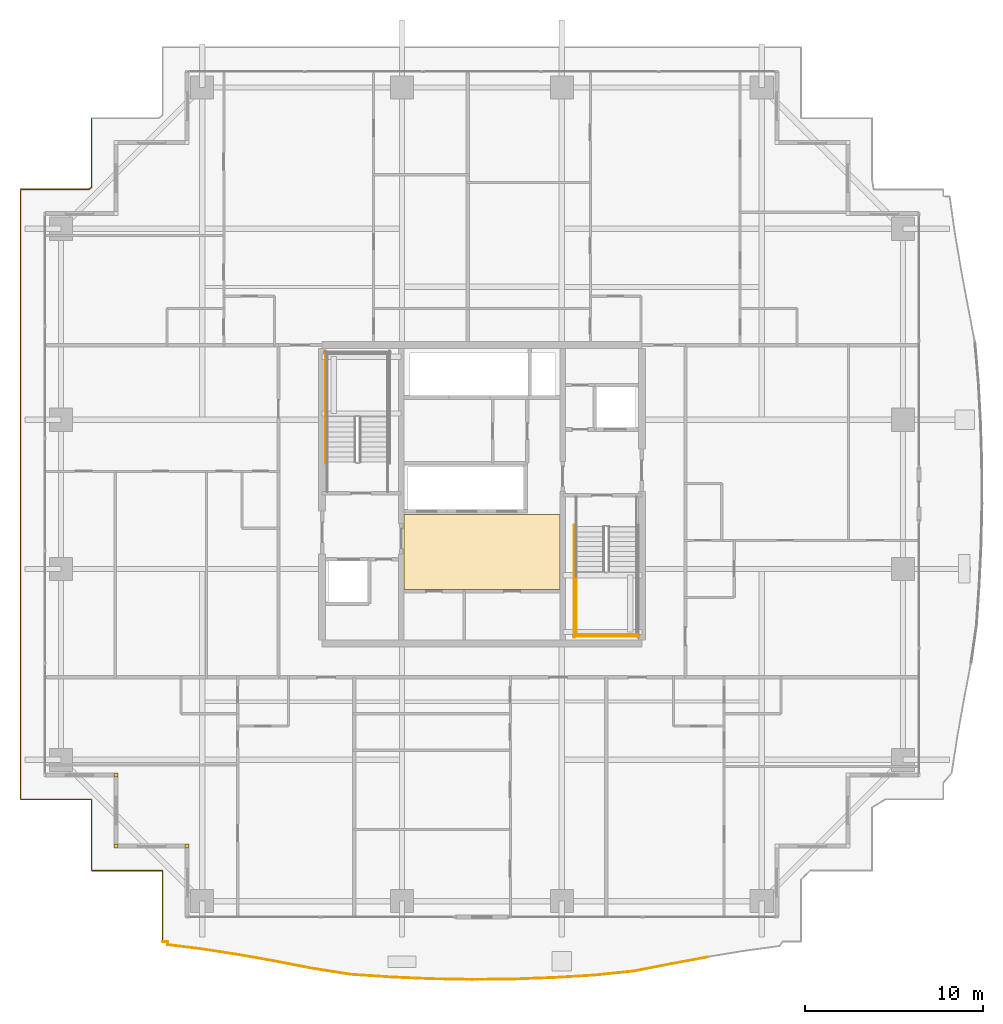
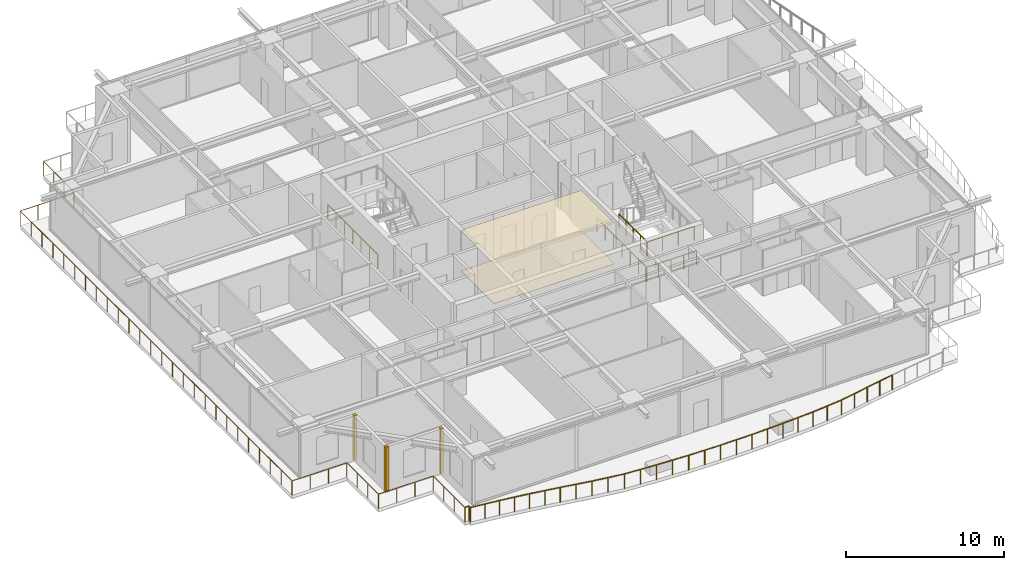
# One storey, part 33 of 37: 8 railings, 5 coverings.
"""IFC4 building model written with IfcOpenShell, lengths in metres."""

from ifc_helpers import new_model, si_unit, direction, frame, origin, origin_2d, place, context, subcontext, project, spatial, polyline, rectangle, circle, outline, extrude, source, transform, mapped, material, layer, layer_set, type_object, element, save


model = new_model("IFC4")

# Units and contexts
model_context = context("Model", 3, precision=1e-05, world=origin(), true_north=direction((0.0, 1.0)))
body_context = subcontext(model_context, "Body", "Model", "MODEL_VIEW")
ifc_project = project(units=[si_unit("LENGTHUNIT", "METRE"), si_unit("AREAUNIT", "SQUARE_METRE"), si_unit("VOLUMEUNIT", "CUBIC_METRE"), si_unit("PLANEANGLEUNIT", "RADIAN"), si_unit("MASSUNIT", "GRAM", prefix="KILO")], contexts=[model_context])

# Site, building, storey
site_placement = place(None, origin())
site = spatial("IfcSite", under=ifc_project, at=site_placement, CompositionType="ELEMENT")
building_placement = place(site_placement, origin())
building = spatial("IfcBuilding", under=site, at=building_placement, Name="Serunith Strait Residences", CompositionType="ELEMENT")
storey_placement = place(building_placement, frame((0.0, 0.0, 161.39990234375)))
storey = spatial("IfcBuildingStorey", under=building, at=storey_placement, Name="L40", CompositionType="ELEMENT", Elevation=161.39990234375)

# Coverings
ifc_material_1 = material(Name="Perforated acoustic gypsum ceiling tile")
ifc_layer_1 = layer(ifc_material_1, 0.02490234375, Name="Perforated acoustic gypsum ceiling tile")
ifc_layer_set_1 = layer_set([ifc_layer_1], Name="Perforated acoustic gypsum ceiling tile")
covering_type_1 = type_object("IfcCoveringType", Name="COV-CEIL-AC60", PredefinedType="CEILING", material=ifc_layer_set_1)
covering_1_placement = place(storey_placement, frame((0.0, 0.0, 3.14013671875)))
element("IfcCovering", 1, at=covering_1_placement, inside=storey, type_object=covering_type_1, Name="L40 Lift Lobby Acoustic Ceiling", PredefinedType="CEILING", context=body_context, shape_type="SweptSolid", body=[
    extrude(outline(polyline([(28.0, 19.85009765625), (36.800048828125, 19.85009765625), (36.800048828125, 24.050048828125), (28.0, 24.050048828125), (28.0, 19.85009765625)])), origin(), (0.0, 0.0, 1.0), 0.02490234375),
])
ifc_material_2 = material(Name="Honed limestone terrazzo flooring", Category="masonry")
ifc_layer_2 = layer(ifc_material_2, 0.02001953125, Name="Honed limestone terrazzo flooring")
ifc_layer_set_2 = layer_set([ifc_layer_2], Name="Honed limestone terrazzo flooring")
covering_type_2 = type_object("IfcCoveringType", Name="COV-FLOOR-TER40", PredefinedType="FLOORING", material=ifc_layer_set_2)
covering_2_placement = place(storey_placement, origin())
element("IfcCovering", 2, at=covering_2_placement, inside=storey, type_object=covering_type_2, Name="L40 Lift Lobby Terrazzo Flooring", PredefinedType="FLOORING", context=body_context, shape_type="SweptSolid", body=[
    extrude(outline(polyline([(28.0, 19.85009765625), (36.800048828125, 19.85009765625), (36.800048828125, 24.050048828125), (28.0, 24.050048828125), (28.0, 19.85009765625)])), origin(), (0.0, 0.0, 1.0), 0.02001953125),
])

# Railings
ifc_material_3 = material(Name="Stainless Steel & Laminated Glass Balustrade", Category="steel")
railing_type_1 = type_object("IfcRailingType", Name="RLG-BALC-1150", PredefinedType="BALUSTRADE", material=ifc_material_3)
railing_1_placement = place(storey_placement, frame((14.419921875, 0.02001953125, -0.0498046875)))
element("IfcRailing", 3, at=railing_1_placement, inside=storey, type_object=railing_type_1, Name="L40 Swirling Balcony Perimeter Balustrade 1", PredefinedType="BALUSTRADE", context=body_context, shape_type="SweptSolid", body=[
    extrude(circle(Radius=0.02392578125, at=origin_2d()), frame((0.0, 0.001953125, 1.1259765625), z_axis=(0.0, 1.0, 0.0), x_axis=(-1.0, 0.0, 0.0)), (0.0, 0.0, 1.0), 3.99609375),
    extrude(circle(Radius=0.02392578125, at=origin_2d()), frame((-0.001953125, 4.0, 1.1259765625), z_axis=(-1.0, 0.0, 0.0), x_axis=(0.0, -1.0, 0.0)), (0.0, 0.0, 1.0), 3.99609375),
    extrude(circle(Radius=0.02392578125, at=origin_2d()), frame((-4.0, 4.001953125, 1.1259765625), z_axis=(0.0, 1.0, 0.0), x_axis=(-1.0, 0.0, 0.0)), (0.0, 0.0, 1.0), 3.99609375),
    extrude(circle(Radius=0.02392578125, at=origin_2d()), frame((-4.001953125, 8.0, 1.1259765625), z_axis=(-1.0, 0.0, 0.0), x_axis=(0.0, -1.0, 0.0)), (0.0, 0.0, 1.0), 3.99609375),
    extrude(circle(Radius=0.02392578125, at=origin_2d()), frame((-8.0, 8.001953125, 1.1259765625), z_axis=(0.0, 1.0, 0.0), x_axis=(-1.0, 0.0, 0.0)), (0.0, 0.0, 1.0), 34.35595703125),
    extrude(circle(Radius=0.02392578125, at=origin_2d()), frame((-7.998046875, 42.35986328125, 1.1259765625), z_axis=(1.0, 0.0, 0.0), x_axis=(0.0, 1.0, 0.0)), (0.0, 0.0, 1.0), 3.861083984375),
    extrude(circle(Radius=0.02392578125, at=origin_2d()), frame((-4.13330078125, 42.361083984375, 1.1259765625), z_axis=(0.808862567734, 0.587997743633, 0.0), x_axis=(-0.587997743633, 0.808862567734, 0.0)), (0.0, 0.0, 1.0), 0.162841796875),
    extrude(circle(Radius=0.02392578125, at=origin_2d()), frame((-4.0, 42.4599609375, 1.1259765625), z_axis=(0.0, 1.0, 0.0), x_axis=(-1.0, 0.0, 0.0)), (0.0, 0.0, 1.0), 3.89794921875),
    extrude(circle(Radius=0.02099609375, at=origin_2d()), origin(), (0.0, 0.0, 1.0), 1.099853515625),
    extrude(circle(Radius=0.02099609375, at=origin_2d()), frame((0.0, 1.333251953125, 0.0)), (0.0, 0.0, 1.0), 1.099853515625),
    extrude(circle(Radius=0.02099609375, at=origin_2d()), frame((0.0, 2.666748046875, 0.0)), (0.0, 0.0, 1.0), 1.099853515625),
    extrude(circle(Radius=0.02099609375, at=origin_2d()), frame((0.0, 4.0, 0.0)), (0.0, 0.0, 1.0), 1.099853515625),
    extrude(circle(Radius=0.02099609375, at=origin_2d()), frame((-1.333251953125, 4.0, 0.0)), (0.0, 0.0, 1.0), 1.099853515625),
    extrude(circle(Radius=0.02099609375, at=origin_2d()), frame((-2.666748046875, 4.0, 0.0)), (0.0, 0.0, 1.0), 1.099853515625),
    extrude(circle(Radius=0.02099609375, at=origin_2d()), frame((-4.0, 4.0, 0.0)), (0.0, 0.0, 1.0), 1.099853515625),
    extrude(circle(Radius=0.02099609375, at=origin_2d()), frame((-4.0, 5.333251953125, 0.0)), (0.0, 0.0, 1.0), 1.099853515625),
    extrude(circle(Radius=0.02099609375, at=origin_2d()), frame((-4.0, 6.666748046875, 0.0)), (0.0, 0.0, 1.0), 1.099853515625),
    extrude(circle(Radius=0.02099609375, at=origin_2d()), frame((-4.0, 8.0, 0.0)), (0.0, 0.0, 1.0), 1.099853515625),
    extrude(circle(Radius=0.02099609375, at=origin_2d()), frame((-5.333251953125, 8.0, 0.0)), (0.0, 0.0, 1.0), 1.099853515625),
    extrude(circle(Radius=0.02099609375, at=origin_2d()), frame((-6.666748046875, 8.0, 0.0)), (0.0, 0.0, 1.0), 1.099853515625),
    extrude(circle(Radius=0.02099609375, at=origin_2d()), frame((-8.0, 8.0, 0.0)), (0.0, 0.0, 1.0), 1.099853515625),
    extrude(circle(Radius=0.02099609375, at=origin_2d()), frame((-8.0, 9.37451171875, 0.0)), (0.0, 0.0, 1.0), 1.099853515625),
    extrude(circle(Radius=0.02099609375, at=origin_2d()), frame((-8.0, 10.748779296875, 0.0)), (0.0, 0.0, 1.0), 1.099853515625),
    extrude(circle(Radius=0.02099609375, at=origin_2d()), frame((-8.0, 12.123291015625, 0.0)), (0.0, 0.0, 1.0), 1.099853515625),
    extrude(circle(Radius=0.02099609375, at=origin_2d()), frame((-8.0, 13.49755859375, 0.0)), (0.0, 0.0, 1.0), 1.099853515625),
    extrude(circle(Radius=0.02099609375, at=origin_2d()), frame((-8.0, 14.8720703125, 0.0)), (0.0, 0.0, 1.0), 1.099853515625),
    extrude(circle(Radius=0.02099609375, at=origin_2d()), frame((-8.0, 16.246337890625, 0.0)), (0.0, 0.0, 1.0), 1.099853515625),
    extrude(circle(Radius=0.02099609375, at=origin_2d()), frame((-8.0, 17.620849609375, 0.0)), (0.0, 0.0, 1.0), 1.099853515625),
    extrude(circle(Radius=0.02099609375, at=origin_2d()), frame((-8.0, 18.9951171875, 0.0)), (0.0, 0.0, 1.0), 1.099853515625),
    extrude(circle(Radius=0.02099609375, at=origin_2d()), frame((-8.0, 20.36962890625, 0.0)), (0.0, 0.0, 1.0), 1.099853515625),
    extrude(circle(Radius=0.02099609375, at=origin_2d()), frame((-8.0, 21.743896484375, 0.0)), (0.0, 0.0, 1.0), 1.099853515625),
    extrude(circle(Radius=0.02099609375, at=origin_2d()), frame((-8.0, 23.118408203125, 0.0)), (0.0, 0.0, 1.0), 1.099853515625),
    extrude(circle(Radius=0.02099609375, at=origin_2d()), frame((-8.0, 24.49267578125, 0.0)), (0.0, 0.0, 1.0), 1.099853515625),
    extrude(circle(Radius=0.02099609375, at=origin_2d()), frame((-8.0, 25.8671875, 0.0)), (0.0, 0.0, 1.0), 1.099853515625),
    extrude(circle(Radius=0.02099609375, at=origin_2d()), frame((-8.0, 27.241455078125, 0.0)), (0.0, 0.0, 1.0), 1.099853515625),
    extrude(circle(Radius=0.02099609375, at=origin_2d()), frame((-8.0, 28.615966796875, 0.0)), (0.0, 0.0, 1.0), 1.099853515625),
    extrude(circle(Radius=0.02099609375, at=origin_2d()), frame((-8.0, 29.990234375, 0.0)), (0.0, 0.0, 1.0), 1.099853515625),
    extrude(circle(Radius=0.02099609375, at=origin_2d()), frame((-8.0, 31.36474609375, 0.0)), (0.0, 0.0, 1.0), 1.099853515625),
    extrude(circle(Radius=0.02099609375, at=origin_2d()), frame((-8.0, 32.739013671875, 0.0)), (0.0, 0.0, 1.0), 1.099853515625),
    extrude(circle(Radius=0.02099609375, at=origin_2d()), frame((-8.0, 34.113525390625, 0.0)), (0.0, 0.0, 1.0), 1.099853515625),
    extrude(circle(Radius=0.02099609375, at=origin_2d()), frame((-8.0, 35.48779296875, 0.0)), (0.0, 0.0, 1.0), 1.099853515625),
    extrude(circle(Radius=0.02099609375, at=origin_2d()), frame((-8.0, 36.8623046875, 0.0)), (0.0, 0.0, 1.0), 1.099853515625),
    extrude(circle(Radius=0.02099609375, at=origin_2d()), frame((-8.0, 38.236572265625, 0.0)), (0.0, 0.0, 1.0), 1.099853515625),
    extrude(circle(Radius=0.02099609375, at=origin_2d()), frame((-8.0, 39.611083984375, 0.0)), (0.0, 0.0, 1.0), 1.099853515625),
    extrude(circle(Radius=0.02099609375, at=origin_2d()), frame((-8.0, 40.9853515625, 0.0)), (0.0, 0.0, 1.0), 1.099853515625),
    extrude(circle(Radius=0.02099609375, at=origin_2d()), frame((-8.0, 42.35986328125, 0.0)), (0.0, 0.0, 1.0), 1.099853515625),
    extrude(circle(Radius=0.02099609375, at=origin_2d()), frame((-6.711669921875, 42.35986328125, 0.0)), (0.0, 0.0, 1.0), 1.099853515625),
    extrude(circle(Radius=0.02099609375, at=origin_2d()), frame((-5.42333984375, 42.35986328125, 0.0)), (0.0, 0.0, 1.0), 1.099853515625),
    extrude(circle(Radius=0.02099609375, at=origin_2d()), frame((-4.135009765625, 42.35986328125, 0.0)), (0.0, 0.0, 1.0), 1.099853515625),
    extrude(circle(Radius=0.02099609375, at=origin_2d()), frame((-4.0, 42.4580078125, 0.0)), (0.0, 0.0, 1.0), 1.099853515625),
    extrude(circle(Radius=0.02099609375, at=origin_2d()), frame((-4.0, 43.758544921875, 0.0)), (0.0, 0.0, 1.0), 1.099853515625),
    extrude(circle(Radius=0.02099609375, at=origin_2d()), frame((-4.0, 45.059326171875, 0.0)), (0.0, 0.0, 1.0), 1.099853515625),
    extrude(circle(Radius=0.02099609375, at=origin_2d()), frame((-4.0, 46.35986328125, 0.0)), (0.0, 0.0, 1.0), 1.099853515625),
])
railing_2_placement = place(storey_placement, frame((45.1298828125, -0.843505859375, -0.0498046875)))
element("IfcRailing", 4, at=railing_2_placement, inside=storey, type_object=railing_type_1, Name="L40 Swirling Balcony Perimeter Balustrade 7", PredefinedType="BALUSTRADE", context=body_context, shape_type="SweptSolid", body=[
    extrude(circle(Radius=0.02392578125, at=origin_2d()), frame((-0.001953125, -0.00048828125, 1.1259765625), z_axis=(-0.983086004095, -0.183144501834, 0.0), x_axis=(0.183144501834, -0.983086004095, 0.0)), (0.0, 0.0, 1.0), 2.08349609375),
    extrude(circle(Radius=0.02392578125, at=origin_2d()), frame((-2.05419921875, -0.3828125, 1.1259765625), z_axis=(-0.981483816416, -0.191545081151, 0.0), x_axis=(0.191545081151, -0.981483816416, 0.0)), (0.0, 0.0, 1.0), 2.143798828125),
    extrude(circle(Radius=0.02392578125, at=origin_2d()), frame((-4.162109375, -0.7939453125, 1.1259765625), z_axis=(-0.994549130553, -0.104269012257, 0.0), x_axis=(0.104269012257, -0.994549130553, 0.0)), (0.0, 0.0, 1.0), 2.227294921875),
    extrude(circle(Radius=0.02392578125, at=origin_2d()), frame((-6.38134765625, -1.0263671875, 1.1259765625), z_axis=(-0.998183374939, -0.060249066343, 0.0), x_axis=(0.060249066343, -0.998183374939, 0.0)), (0.0, 0.0, 1.0), 2.2734375),
    extrude(circle(Radius=0.02392578125, at=origin_2d()), frame((-8.654541015625, -1.16357421875, 1.1259765625), z_axis=(-0.999318317048, -0.036917491967, 0.0), x_axis=(0.036917491967, -0.999318317048, 0.0)), (0.0, 0.0, 1.0), 2.29736328125),
    extrude(circle(Radius=0.02392578125, at=origin_2d()), frame((-10.954345703125, -1.24853515625, 1.1259765625), z_axis=(-0.999947590192, -0.010238011004, 0.0), x_axis=(0.010238011004, -0.999947590192, 0.0)), (0.0, 0.0, 1.0), 2.30908203125),
    extrude(circle(Radius=0.02392578125, at=origin_2d()), frame((-13.267333984375, -1.272216796875, 1.1259765625), z_axis=(-0.999851714344, 0.017220607506, 0.0), x_axis=(-0.017220607506, -0.999851714344, 0.0)), (0.0, 0.0, 1.0), 2.306884765625),
    extrude(circle(Radius=0.02392578125, at=origin_2d()), frame((-15.577880859375, -1.232421875, 1.1259765625), z_axis=(-0.99905716193, 0.043414135911, 0.0), x_axis=(-0.043414135911, -0.99905716193, 0.0)), (0.0, 0.0, 1.0), 2.290283203125),
    extrude(circle(Radius=0.02099609375, at=origin_2d()), origin(), (0.0, 0.0, 1.0), 1.099853515625),
    extrude(circle(Radius=0.02099609375, at=origin_2d()), frame((-1.026123046875, -0.191162109375, 0.0)), (0.0, 0.0, 1.0), 1.099853515625),
    extrude(circle(Radius=0.02099609375, at=origin_2d()), frame((-2.05224609375, -0.38232421875, 0.0)), (0.0, 0.0, 1.0), 1.099853515625),
    extrude(circle(Radius=0.02099609375, at=origin_2d()), frame((-3.106201171875, -0.587890625, 0.0)), (0.0, 0.0, 1.0), 1.099853515625),
    extrude(circle(Radius=0.02099609375, at=origin_2d()), frame((-4.16015625, -0.793701171875, 0.0)), (0.0, 0.0, 1.0), 1.099853515625),
    extrude(circle(Radius=0.02099609375, at=origin_2d()), frame((-5.269775390625, -0.91015625, 0.0)), (0.0, 0.0, 1.0), 1.099853515625),
    extrude(circle(Radius=0.02099609375, at=origin_2d()), frame((-6.37939453125, -1.0263671875, 0.0)), (0.0, 0.0, 1.0), 1.099853515625),
    extrude(circle(Radius=0.02099609375, at=origin_2d()), frame((-7.51611328125, -1.094970703125, 0.0)), (0.0, 0.0, 1.0), 1.099853515625),
    extrude(circle(Radius=0.02099609375, at=origin_2d()), frame((-8.652587890625, -1.16357421875, 0.0)), (0.0, 0.0, 1.0), 1.099853515625),
    extrude(circle(Radius=0.02099609375, at=origin_2d()), frame((-9.802490234375, -1.2060546875, 0.0)), (0.0, 0.0, 1.0), 1.099853515625),
    extrude(circle(Radius=0.02099609375, at=origin_2d()), frame((-10.952392578125, -1.24853515625, 0.0)), (0.0, 0.0, 1.0), 1.099853515625),
    extrude(circle(Radius=0.02099609375, at=origin_2d()), frame((-12.10888671875, -1.26025390625, 0.0)), (0.0, 0.0, 1.0), 1.099853515625),
    extrude(circle(Radius=0.02099609375, at=origin_2d()), frame((-13.265380859375, -1.272216796875, 0.0)), (0.0, 0.0, 1.0), 1.099853515625),
    extrude(circle(Radius=0.02099609375, at=origin_2d()), frame((-14.420654296875, -1.25244140625, 0.0)), (0.0, 0.0, 1.0), 1.099853515625),
    extrude(circle(Radius=0.02099609375, at=origin_2d()), frame((-15.575927734375, -1.232421875, 0.0)), (0.0, 0.0, 1.0), 1.099853515625),
    extrude(circle(Radius=0.02099609375, at=origin_2d()), frame((-16.72216796875, -1.1826171875, 0.0)), (0.0, 0.0, 1.0), 1.099853515625),
    extrude(circle(Radius=0.02099609375, at=origin_2d()), frame((-17.8681640625, -1.1328125, 0.0)), (0.0, 0.0, 1.0), 1.099853515625),
])
railing_3_placement = place(storey_placement, frame((27.26171875, -1.976318359375, -0.0498046875)))
element("IfcRailing", 5, at=railing_3_placement, inside=storey, type_object=railing_type_1, Name="L40 Swirling Balcony Perimeter Balustrade 8", PredefinedType="BALUSTRADE", context=body_context, shape_type="SweptSolid", body=[
    extrude(circle(Radius=0.02392578125, at=origin_2d()), frame((-0.001953125, 0.000244140625, 1.1259765625), z_axis=(-0.997825478891, 0.06591140778, 0.0), x_axis=(-0.06591140778, -0.997825478891, 0.0)), (0.0, 0.0, 1.0), 2.262939453125),
    extrude(circle(Radius=0.02392578125, at=origin_2d()), frame((-2.263916015625, 0.149658203125, 1.1259765625), z_axis=(-0.987665321862, 0.156579730463, 0.0), x_axis=(-0.156579730463, -0.987665321862, 0.0)), (0.0, 0.0, 1.0), 2.189697265625),
    extrude(circle(Radius=0.02392578125, at=origin_2d()), frame((-4.4306640625, 0.493408203125, 1.1259765625), z_axis=(-0.981779157923, 0.190025485314, 0.0), x_axis=(-0.190025485314, -0.981779157923, 0.0)), (0.0, 0.0, 1.0), 2.1171875),
    extrude(circle(Radius=0.02392578125, at=origin_2d()), frame((-6.51318359375, 0.896240234375, 1.1259765625), z_axis=(-0.984391053213, 0.175995040711, 0.0), x_axis=(-0.175995040711, -0.984391053213, 0.0)), (0.0, 0.0, 1.0), 2.06298828125),
    extrude(circle(Radius=0.02392578125, at=origin_2d()), frame((-8.5478515625, 1.260009765625, 1.1259765625), z_axis=(-0.988382815583, 0.151984900109, 0.0), x_axis=(-0.151984900109, -0.988382815583, 0.0)), (0.0, 0.0, 1.0), 2.0263671875),
    extrude(circle(Radius=0.02392578125, at=origin_2d()), frame((-10.5546875, 1.568603515625, 1.1259765625), z_axis=(-0.992212369006, 0.124557676569, 0.0), x_axis=(-0.124557676569, -0.992212369006, 0.0)), (0.0, 0.0, 1.0), 2.007080078125),
    extrude(circle(Radius=0.02392578125, at=origin_2d()), frame((-12.548095703125, 1.82080078125, 1.1259765625), z_axis=(0.008252813851, 0.999965944952, 0.0), x_axis=(-0.999965944952, 0.008252813851, 0.0)), (0.0, 0.0, 1.0), 0.173583984375),
    extrude(circle(Radius=0.02392578125, at=origin_2d()), frame((-12.548583984375, 1.996337890625, 1.1259765625), z_axis=(-1.0, 0.0, 0.0), x_axis=(0.0, -1.0, 0.0)), (0.0, 0.0, 1.0), 0.291259765625),
    extrude(circle(Radius=0.02099609375, at=origin_2d()), origin(), (0.0, 0.0, 1.0), 1.099853515625),
    extrude(circle(Radius=0.02099609375, at=origin_2d()), frame((-1.130859375, 0.07470703125, 0.0)), (0.0, 0.0, 1.0), 1.099853515625),
    extrude(circle(Radius=0.02099609375, at=origin_2d()), frame((-2.261962890625, 0.1494140625, 0.0)), (0.0, 0.0, 1.0), 1.099853515625),
    extrude(circle(Radius=0.02099609375, at=origin_2d()), frame((-3.34521484375, 0.3212890625, 0.0)), (0.0, 0.0, 1.0), 1.099853515625),
    extrude(circle(Radius=0.02099609375, at=origin_2d()), frame((-4.4287109375, 0.492919921875, 0.0)), (0.0, 0.0, 1.0), 1.099853515625),
    extrude(circle(Radius=0.02099609375, at=origin_2d()), frame((-5.469970703125, 0.6943359375, 0.0)), (0.0, 0.0, 1.0), 1.099853515625),
    extrude(circle(Radius=0.02099609375, at=origin_2d()), frame((-6.51123046875, 0.89599609375, 0.0)), (0.0, 0.0, 1.0), 1.099853515625),
    extrude(circle(Radius=0.02099609375, at=origin_2d()), frame((-7.528564453125, 1.077880859375, 0.0)), (0.0, 0.0, 1.0), 1.099853515625),
    extrude(circle(Radius=0.02099609375, at=origin_2d()), frame((-8.5458984375, 1.259765625, 0.0)), (0.0, 0.0, 1.0), 1.099853515625),
    extrude(circle(Radius=0.02099609375, at=origin_2d()), frame((-9.54931640625, 1.4140625, 0.0)), (0.0, 0.0, 1.0), 1.099853515625),
    extrude(circle(Radius=0.02099609375, at=origin_2d()), frame((-10.552734375, 1.568359375, 0.0)), (0.0, 0.0, 1.0), 1.099853515625),
    extrude(circle(Radius=0.02099609375, at=origin_2d()), frame((-11.55029296875, 1.693603515625, 0.0)), (0.0, 0.0, 1.0), 1.099853515625),
    extrude(circle(Radius=0.02099609375, at=origin_2d()), frame((-12.548095703125, 1.81884765625, 0.0)), (0.0, 0.0, 1.0), 1.099853515625),
    extrude(circle(Radius=0.02099609375, at=origin_2d()), frame((-12.546630859375, 1.996337890625, 0.0)), (0.0, 0.0, 1.0), 1.099853515625),
    extrude(circle(Radius=0.02099609375, at=origin_2d()), frame((-12.841796875, 1.996337890625, 0.0)), (0.0, 0.0, 1.0), 1.099853515625),
])
ifc_material_4 = material(Name="Brushed stainless steel 316L", Category="steel")
railing_type_2 = type_object("IfcRailingType", Name="RLG-STAIR-GUARD", PredefinedType="BALUSTRADE", material=ifc_material_4)
railing_4_placement = place(storey_placement, frame((23.60009765625, 26.929931640625, 0.0)))
element("IfcRailing", 6, at=railing_4_placement, inside=storey, type_object=railing_type_2, Name="L40 ST-1 stair guard 11", PredefinedType="BALUSTRADE", context=body_context, shape_type="SweptSolid", body=[
    extrude(circle(Radius=0.02392578125, at=origin_2d()), frame((0.0, 0.001953125, 1.076171875), z_axis=(0.0, 1.0, 0.0), x_axis=(-1.0, 0.0, 0.0)), (0.0, 0.0, 1.0), 6.316162109375),
    extrude(circle(Radius=0.02099609375, at=origin_2d()), origin(), (0.0, 0.0, 1.0), 1.050048828125),
    extrude(circle(Radius=0.02099609375, at=origin_2d()), frame((0.0, 1.05322265625, 0.0)), (0.0, 0.0, 1.0), 1.050048828125),
    extrude(circle(Radius=0.02099609375, at=origin_2d()), frame((0.0, 2.106689453125, 0.0)), (0.0, 0.0, 1.0), 1.050048828125),
    extrude(circle(Radius=0.02099609375, at=origin_2d()), frame((0.0, 3.16015625, 0.0)), (0.0, 0.0, 1.0), 1.050048828125),
    extrude(circle(Radius=0.02099609375, at=origin_2d()), frame((0.0, 4.21337890625, 0.0)), (0.0, 0.0, 1.0), 1.050048828125),
    extrude(circle(Radius=0.02099609375, at=origin_2d()), frame((0.0, 5.2666015625, 0.0)), (0.0, 0.0, 1.0), 1.050048828125),
    extrude(circle(Radius=0.02099609375, at=origin_2d()), frame((0.0, 6.320068359375, 0.0)), (0.0, 0.0, 1.0), 1.050048828125),
])
railing_5_placement = place(storey_placement, frame((37.699951171875, 20.85009765625, 1.875)))
element("IfcRailing", 7, at=railing_5_placement, inside=storey, type_object=railing_type_2, Name="L40 ST-2 stair guard 3", PredefinedType="BALUSTRADE", context=body_context, shape_type="SweptSolid", body=[
    extrude(circle(Radius=0.02392578125, at=origin_2d()), frame((0.0, -0.001953125, 1.076171875), z_axis=(0.0, -1.0, 0.0), x_axis=(1.0, 0.0, 0.0)), (0.0, 0.0, 1.0), 3.59619140625),
    extrude(circle(Radius=0.02099609375, at=origin_2d()), origin(), (0.0, 0.0, 1.0), 1.050048828125),
    extrude(circle(Radius=0.02099609375, at=origin_2d()), frame((0.0, -0.89990234375, 0.0)), (0.0, 0.0, 1.0), 1.050048828125),
    extrude(circle(Radius=0.02099609375, at=origin_2d()), frame((0.0, -1.800048828125, 0.0)), (0.0, 0.0, 1.0), 1.050048828125),
    extrude(circle(Radius=0.02099609375, at=origin_2d()), frame((0.0, -2.7001953125, 0.0)), (0.0, 0.0, 1.0), 1.050048828125),
    extrude(circle(Radius=0.02099609375, at=origin_2d()), frame((0.0, -3.60009765625, 0.0)), (0.0, 0.0, 1.0), 1.050048828125),
])
railing_6_placement = place(storey_placement, frame((37.64990234375, 17.300048828125, 1.875)))
element("IfcRailing", 8, at=railing_6_placement, inside=storey, type_object=railing_type_2, Name="L40 ST-2 stair guard 5", PredefinedType="BALUSTRADE", context=body_context, shape_type="SweptSolid", body=[
    extrude(circle(Radius=0.02392578125, at=origin_2d()), frame((0.001953125, 0.0, 1.076171875), z_axis=(1.0, 0.0, 0.0), x_axis=(0.0, 1.0, 0.0)), (0.0, 0.0, 1.0), 3.49609375),
    extrude(circle(Radius=0.02099609375, at=origin_2d()), origin(), (0.0, 0.0, 1.0), 1.050048828125),
    extrude(circle(Radius=0.02099609375, at=origin_2d()), frame((1.166748046875, 0.0, 0.0)), (0.0, 0.0, 1.0), 1.050048828125),
    extrude(circle(Radius=0.02099609375, at=origin_2d()), frame((2.333251953125, 0.0, 0.0)), (0.0, 0.0, 1.0), 1.050048828125),
    extrude(circle(Radius=0.02099609375, at=origin_2d()), frame((3.5, 0.0, 0.0)), (0.0, 0.0, 1.0), 1.050048828125),
])
railing_7_placement = place(storey_placement, frame((37.60009765625, 23.469970703125, 0.0)))
element("IfcRailing", 9, at=railing_7_placement, inside=storey, type_object=railing_type_2, Name="L40 ST-2 stair guard 10", PredefinedType="BALUSTRADE", context=body_context, shape_type="SweptSolid", body=[
    extrude(circle(Radius=0.02392578125, at=origin_2d()), frame((0.0, -0.001953125, 1.076171875), z_axis=(0.0, -1.0, 0.0), x_axis=(1.0, 0.0, 0.0)), (0.0, 0.0, 1.0), 6.316162109375),
    extrude(circle(Radius=0.02099609375, at=origin_2d()), origin(), (0.0, 0.0, 1.0), 1.050048828125),
    extrude(circle(Radius=0.02099609375, at=origin_2d()), frame((0.0, -1.05322265625, 0.0)), (0.0, 0.0, 1.0), 1.050048828125),
    extrude(circle(Radius=0.02099609375, at=origin_2d()), frame((0.0, -2.106689453125, 0.0)), (0.0, 0.0, 1.0), 1.050048828125),
    extrude(circle(Radius=0.02099609375, at=origin_2d()), frame((0.0, -3.16015625, 0.0)), (0.0, 0.0, 1.0), 1.050048828125),
    extrude(circle(Radius=0.02099609375, at=origin_2d()), frame((0.0, -4.21337890625, 0.0)), (0.0, 0.0, 1.0), 1.050048828125),
    extrude(circle(Radius=0.02099609375, at=origin_2d()), frame((0.0, -5.2666015625, 0.0)), (0.0, 0.0, 1.0), 1.050048828125),
    extrude(circle(Radius=0.02099609375, at=origin_2d()), frame((0.0, -6.320068359375, 0.0)), (0.0, 0.0, 1.0), 1.050048828125),
])
railing_8_placement = place(storey_placement, frame((37.550048828125, 17.199951171875, 0.0)))
element("IfcRailing", 10, at=railing_8_placement, inside=storey, type_object=railing_type_2, Name="L40 ST-2 stair guard 12", PredefinedType="BALUSTRADE", context=body_context, shape_type="SweptSolid", body=[
    extrude(circle(Radius=0.02392578125, at=origin_2d()), frame((0.001953125, 0.0, 1.076171875), z_axis=(1.0, 0.0, 0.0), x_axis=(0.0, 1.0, 0.0)), (0.0, 0.0, 1.0), 3.696044921875),
    extrude(circle(Radius=0.02099609375, at=origin_2d()), origin(), (0.0, 0.0, 1.0), 1.050048828125),
    extrude(circle(Radius=0.02099609375, at=origin_2d()), frame((0.925048828125, 0.0, 0.0)), (0.0, 0.0, 1.0), 1.050048828125),
    extrude(circle(Radius=0.02099609375, at=origin_2d()), frame((1.85009765625, 0.0, 0.0)), (0.0, 0.0, 1.0), 1.050048828125),
    extrude(circle(Radius=0.02099609375, at=origin_2d()), frame((2.77490234375, 0.0, 0.0)), (0.0, 0.0, 1.0), 1.050048828125),
    extrude(circle(Radius=0.02099609375, at=origin_2d()), frame((3.699951171875, 0.0, 0.0)), (0.0, 0.0, 1.0), 1.050048828125),
])

# Coverings
ifc_material_5 = material(Name="Pale-Champagne Anodised Aluminium", Category="aluminium")
ifc_layer_3 = layer(ifc_material_5, 0.219970703125, Name="Pale-Champagne Anodised Aluminium")
ifc_layer_set_3 = layer_set([ifc_layer_3], Name="Pale-Champagne Anodised Aluminium")
covering_type_3 = type_object("IfcCoveringType", Name="COV-CORN-TRIM", PredefinedType="CLADDING", material=ifc_layer_set_3)
shared_shape = source(origin(), body_context, "Body", "SweptSolid", [
    extrude(rectangle(XDim=0.221923828125, YDim=0.221923828125, at=origin_2d()), origin(), (0.0, 0.0, 1.0), 3.47509765625),
])
for number, where, z_axis, x_axis, name in (
    (11, (11.800048828125, 9.39990234375, 0.0), (0.0, 0.0, 1.0), (1.0, 0.0, 0.0), "L40 Girih Serrated Corner Trim Post 17"),
    (12, (11.800048828125, 5.39990234375, 0.0), (0.0, 0.0, 1.0), (1.0, 0.0, 0.0), "L40 Girih Serrated Corner Trim Post 18"),
    (13, (15.800048828125, 5.39990234375, 0.0), (0.0, 0.0, 1.0), (1.0, 0.0, 0.0), "L40 Girih Serrated Corner Trim Post 19"),
):
    element("IfcCovering", number, at=place(storey_placement, frame(where, z_axis=z_axis, x_axis=x_axis)), inside=storey, type_object=covering_type_3, Name=name, PredefinedType="CLADDING", context=body_context, shape_type="MappedRepresentation", body=[
        mapped(shared_shape, transform((0.0, 0.0, 0.0), scale=1.0)),
    ])

save(model, "model.ifc")
